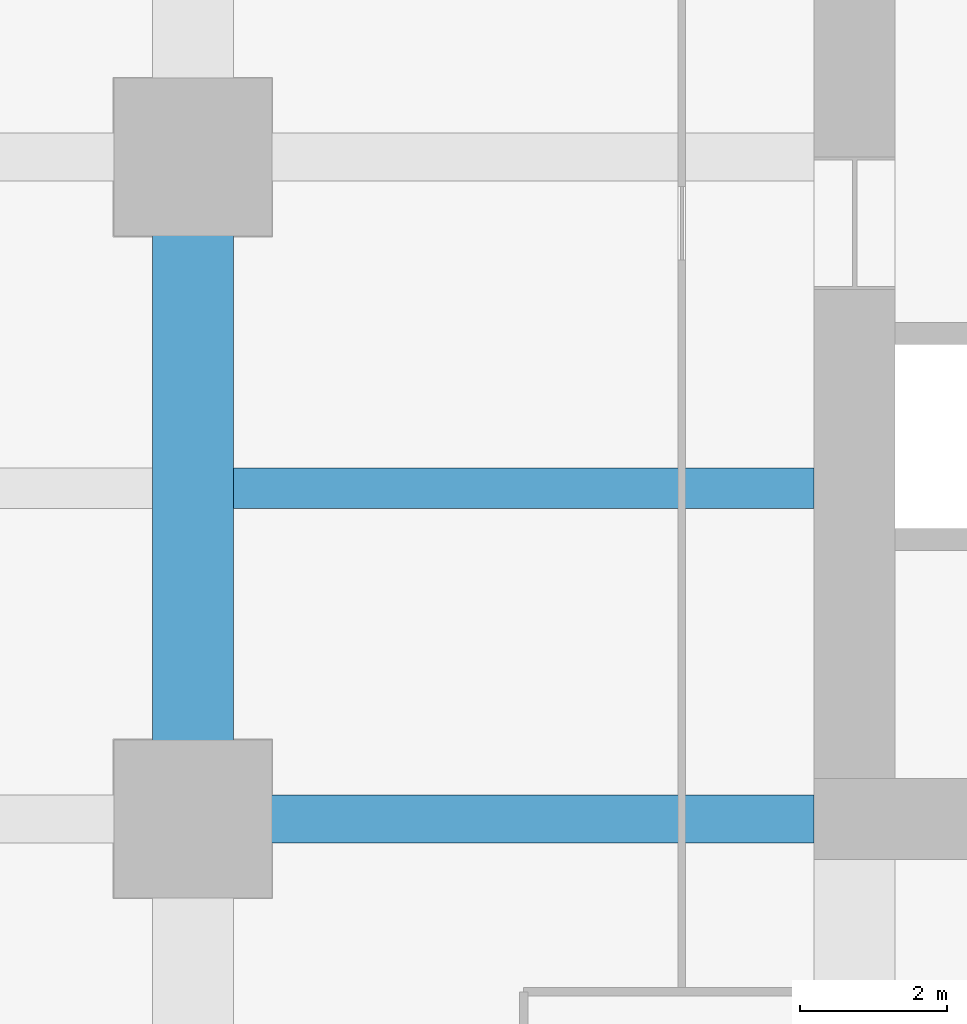
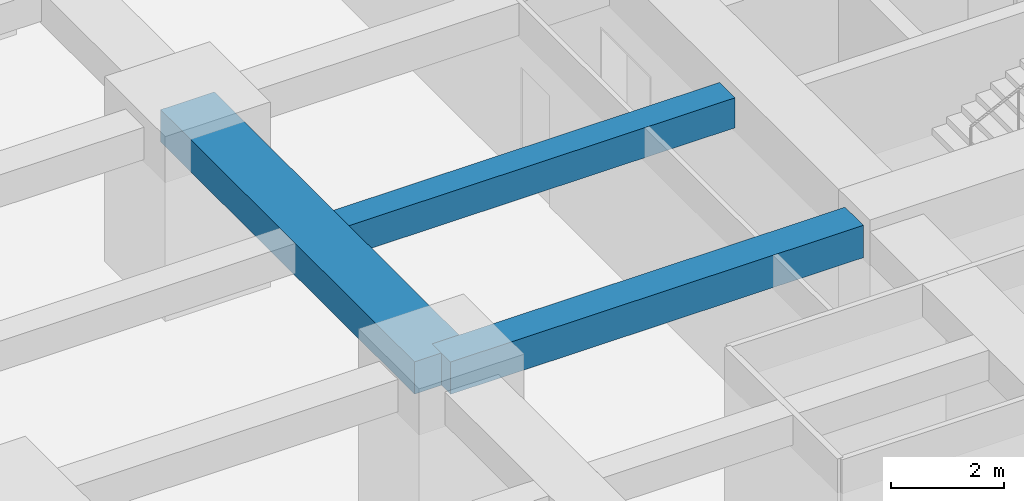
# One storey, part 10 of 44: 3 beams.
"""IFC4 building model written with IfcOpenShell, lengths in metres."""

from ifc_helpers import new_model, si_unit, direction, frame, origin, origin_2d, place, context, subcontext, project, spatial, rectangle, extrude, material, material_profile, profile_set, type_object, element, save


model = new_model("IFC4")

# Units and contexts
model_context = context("Model", 3, precision=1e-05, world=origin(), true_north=direction((0.0, 1.0)))
body_context = subcontext(model_context, "Body", "Model", "MODEL_VIEW")
ifc_project = project(units=[si_unit("LENGTHUNIT", "METRE"), si_unit("AREAUNIT", "SQUARE_METRE"), si_unit("VOLUMEUNIT", "CUBIC_METRE"), si_unit("PLANEANGLEUNIT", "RADIAN"), si_unit("MASSUNIT", "GRAM", prefix="KILO")], contexts=[model_context])

# Site, building, storey
site_placement = place(None, origin())
site = spatial("IfcSite", under=ifc_project, at=site_placement, CompositionType="ELEMENT")
building_placement = place(site_placement, origin())
building = spatial("IfcBuilding", under=site, at=building_placement, Name="Zorevar Civic Tower", CompositionType="ELEMENT")
storey_placement = place(building_placement, frame((0.0, 0.0, 59.800048828125)))
storey = spatial("IfcBuildingStorey", under=building, at=storey_placement, Name="L14", CompositionType="ELEMENT", Elevation=59.800048828125)

# Beams
ifc_material_1 = material(Name="Concrete C50/60", Category="concrete")
ifc_material_profile_1 = material_profile(ifc_material_1, rectangle(XDim=1.10009765625, YDim=0.699951171875, at=origin_2d()), Name="RC 1100x700")
ifc_profile_set_1 = profile_set([ifc_material_profile_1], Name="Concrete C50/60")
beam_type_1 = type_object("IfcBeamType", Name="Beam RC 1100x700", PredefinedType="BEAM", material=ifc_profile_set_1)
beam_1_placement = place(storey_placement, frame((9.0, 18.0, 3.39990234375), z_axis=(0.0, 1.0, 0.0), x_axis=(-1.0, 0.0, 0.0)))
element("IfcBeam", 1, at=beam_1_placement, inside=storey, type_object=beam_type_1, Name="Girder L15", PredefinedType="BEAM", context=body_context, shape_type="SweptSolid", body=[
    extrude(rectangle(XDim=1.10009765625, YDim=0.699951171875, at=origin_2d()), origin(), (0.0, 0.0, 1.0), 9.0),
])
ifc_material_2 = material(Name="Concrete C50/60", Category="concrete")
ifc_material_profile_2 = material_profile(ifc_material_2, rectangle(XDim=0.550048828125, YDim=0.64990234375, at=origin_2d()), Name="RC 550x650")
ifc_profile_set_2 = profile_set([ifc_material_profile_2], Name="Concrete C50/60")
beam_type_2 = type_object("IfcBeamType", Name="Beam RC 550x650", PredefinedType="BEAM", material=ifc_profile_set_2)
beam_2_placement = place(storey_placement, frame((9.550048828125, 22.5, 3.425048828125), z_axis=(1.0, 0.0, 0.0), x_axis=(0.0, 1.0, 0.0)))
element("IfcBeam", 2, at=beam_2_placement, inside=storey, type_object=beam_type_2, Name="Secondary beam L15", PredefinedType="BEAM", context=body_context, shape_type="SweptSolid", body=[
    extrude(rectangle(XDim=0.550048828125, YDim=0.64990234375, at=origin_2d()), origin(), (0.0, 0.0, 1.0), 7.89990234375),
])
ifc_material_3 = material(Name="Concrete C50/60", Category="concrete")
ifc_material_profile_3 = material_profile(ifc_material_3, rectangle(XDim=0.64990234375, YDim=0.699951171875, at=origin_2d()), Name="RC 650x700")
ifc_profile_set_3 = profile_set([ifc_material_profile_3], Name="Concrete C50/60")
beam_type_3 = type_object("IfcBeamType", Name="Beam RC 650x700", PredefinedType="BEAM", material=ifc_profile_set_3)
beam_3_placement = place(storey_placement, frame((9.0, 18.0, 3.39990234375), z_axis=(1.0, 0.0, 0.0), x_axis=(0.0, 1.0, 0.0)))
element("IfcBeam", 3, at=beam_3_placement, inside=storey, type_object=beam_type_3, Name="Girder L15", PredefinedType="BEAM", context=body_context, shape_type="SweptSolid", body=[
    extrude(rectangle(XDim=0.64990234375, YDim=0.699951171875, at=origin_2d()), origin(), (0.0, 0.0, 1.0), 8.449951171875),
])

save(model, "model.ifc")
